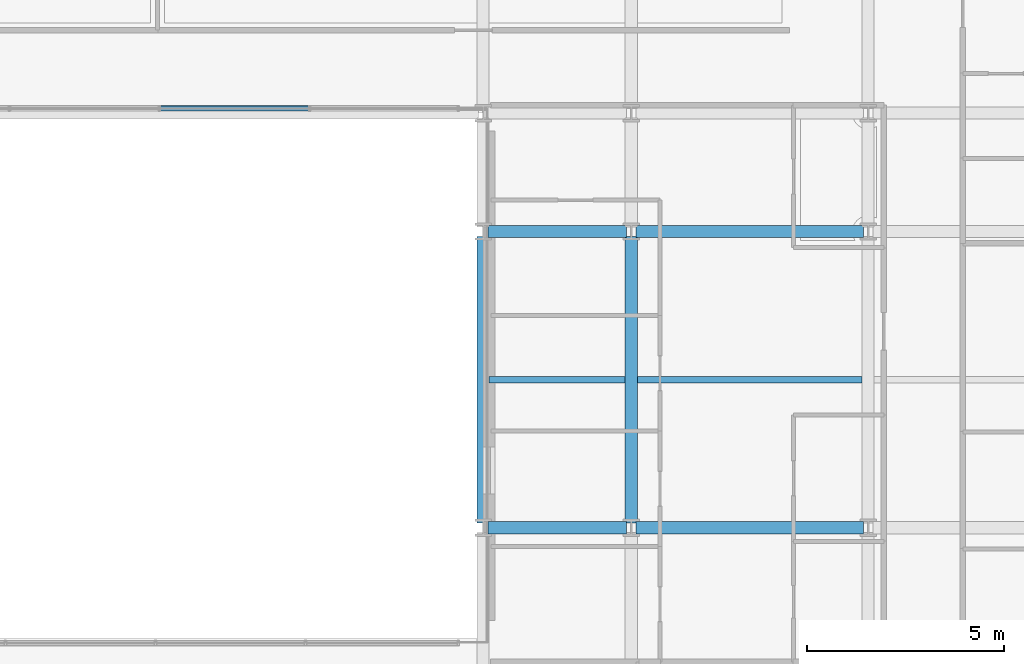
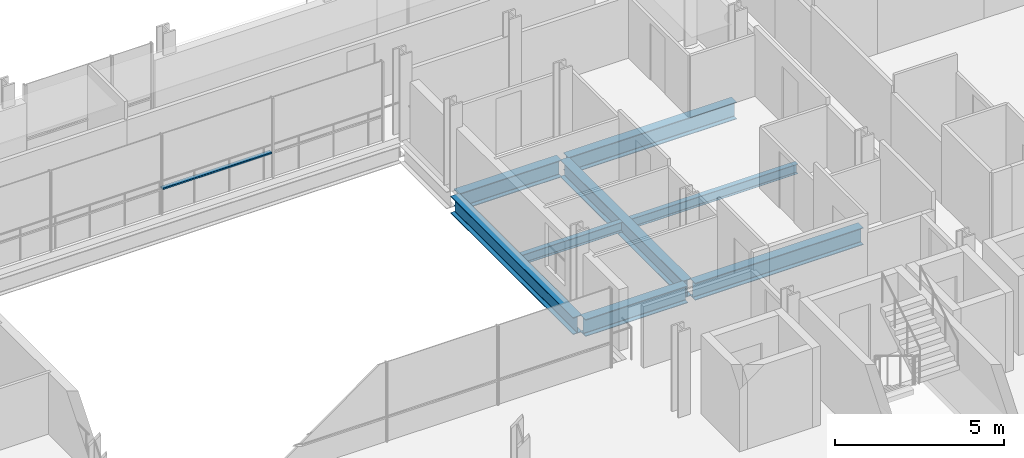
# One storey, part 16 of 38: 8 beams, 1 member, 1 element without a shape of its own.
"""IFC4 building model written with IfcOpenShell, lengths in metres."""

from ifc_helpers import new_model, si_unit, direction, frame, origin, origin_2d, place, context, subcontext, project, spatial, hollow_rectangle, i_section, extrude, material, layer, layer_set, material_profile, profile_set, type_object, element, aggregate, save


model = new_model("IFC4")

# Units and contexts
model_context = context("Model", 3, precision=1e-05, world=origin(), true_north=direction((0.0, 1.0)))
body_context = subcontext(model_context, "Body", "Model", "MODEL_VIEW")
ifc_project = project(units=[si_unit("LENGTHUNIT", "METRE"), si_unit("AREAUNIT", "SQUARE_METRE"), si_unit("VOLUMEUNIT", "CUBIC_METRE"), si_unit("PLANEANGLEUNIT", "RADIAN"), si_unit("MASSUNIT", "GRAM", prefix="KILO")], contexts=[model_context])

# Site, building, storey
site_placement = place(None, origin())
site = spatial("IfcSite", under=ifc_project, at=site_placement, CompositionType="ELEMENT")
building_placement = place(site_placement, origin())
building = spatial("IfcBuilding", under=site, at=building_placement, Name="Brevholm Reach", CompositionType="ELEMENT")
storey_placement = place(building_placement, frame((0.0, 0.0, 71.39990234375)))
storey = spatial("IfcBuildingStorey", under=building, at=storey_placement, Name="L20", CompositionType="ELEMENT", Elevation=71.39990234375)

# Beams
ifc_material_1 = material(Name="Structural Steel S355J2", Category="steel")
ifc_material_profile_1 = material_profile(ifc_material_1, i_section(OverallWidth=0.17138671875, OverallDepth=0.35498046875, WebThickness=0.00732421875, FlangeThickness=0.011474609375, FilletRadius=0.01025390625, at=origin_2d()), Name="UKB 356x171x51")
ifc_profile_set_1 = profile_set([ifc_material_profile_1], Name="Structural Steel S355J2")
beam_type_1 = type_object("IfcBeamType", Name="BM-B356", PredefinedType="BEAM", material=ifc_profile_set_1)
beam_1_placement = place(storey_placement, frame((38.403564453125, 19.75, -0.407470703125), z_axis=(1.0, 0.0, 0.0), x_axis=(0.0, 1.0, 0.0)))
element("IfcBeam", 1, at=beam_1_placement, inside=storey, type_object=beam_type_1, Name="L20 Composite Secondary Floor Beam", PredefinedType="BEAM", context=body_context, shape_type="SweptSolid", body=[
    extrude(i_section(OverallWidth=0.17138671875, OverallDepth=0.35498046875, WebThickness=0.00732421875, FlangeThickness=0.011474609375, FilletRadius=0.01025390625, at=origin_2d()), origin(), (0.0, 0.0, 1.0), 3.44287109375),
])
beam_2_placement = place(storey_placement, frame((42.153564453125, 19.75, -0.407470703125), z_axis=(1.0, 0.0, 0.0), x_axis=(0.0, 1.0, 0.0)))
element("IfcBeam", 2, at=beam_2_placement, inside=storey, type_object=beam_type_1, Name="L20 Composite Secondary Floor Beam", PredefinedType="BEAM", context=body_context, shape_type="SweptSolid", body=[
    extrude(i_section(OverallWidth=0.17138671875, OverallDepth=0.35498046875, WebThickness=0.00732421875, FlangeThickness=0.011474609375, FilletRadius=0.01025390625, at=origin_2d()), origin(), (0.0, 0.0, 1.0), 5.69287109375),
])
ifc_material_2 = material(Name="Structural Steel S355J2", Category="steel")
ifc_material_profile_2 = material_profile(ifc_material_2, i_section(OverallWidth=0.30712890625, OverallDepth=0.6201171875, WebThickness=0.01416015625, FlangeThickness=0.023681640625, FilletRadius=0.0166015625, at=origin_2d()), Name="UKB 610x305x179")
ifc_profile_set_2 = profile_set([ifc_material_profile_2], Name="Structural Steel S355J2")
beam_type_2 = type_object("IfcBeamType", Name="BM-UKB610H", PredefinedType="USERDEFINED", material=ifc_profile_set_2)
beam_3_placement = place(storey_placement, frame((38.3701171875, 16.0, -0.5400390625), z_axis=(1.0, 0.0, 0.0), x_axis=(0.0, 1.0, 0.0)))
element("IfcBeam", 3, at=beam_3_placement, inside=storey, type_object=beam_type_2, Name="L20 G-06 Framing Beam", ObjectType="GIRDER", PredefinedType="USERDEFINED", context=body_context, shape_type="SweptSolid", body=[
    extrude(i_section(OverallWidth=0.30712890625, OverallDepth=0.6201171875, WebThickness=0.01416015625, FlangeThickness=0.023681640625, FilletRadius=0.0166015625, at=origin_2d()), origin(), (0.0, 0.0, 1.0), 3.509765625),
])
beam_4_placement = place(storey_placement, frame((42.1201171875, 16.0, -0.5400390625), z_axis=(1.0, 0.0, 0.0), x_axis=(0.0, 1.0, 0.0)))
element("IfcBeam", 4, at=beam_4_placement, inside=storey, type_object=beam_type_2, Name="L20 G-06 Framing Beam", ObjectType="GIRDER", PredefinedType="USERDEFINED", context=body_context, shape_type="SweptSolid", body=[
    extrude(i_section(OverallWidth=0.30712890625, OverallDepth=0.6201171875, WebThickness=0.01416015625, FlangeThickness=0.023681640625, FilletRadius=0.0166015625, at=origin_2d()), origin(), (0.0, 0.0, 1.0), 5.759765625),
])
beam_5_placement = place(storey_placement, frame((38.3701171875, 23.5, -0.5400390625), z_axis=(1.0, 0.0, 0.0), x_axis=(0.0, 1.0, 0.0)))
element("IfcBeam", 5, at=beam_5_placement, inside=storey, type_object=beam_type_2, Name="L20 G-06 Framing Beam", ObjectType="GIRDER", PredefinedType="USERDEFINED", context=body_context, shape_type="SweptSolid", body=[
    extrude(i_section(OverallWidth=0.30712890625, OverallDepth=0.6201171875, WebThickness=0.01416015625, FlangeThickness=0.023681640625, FilletRadius=0.0166015625, at=origin_2d()), origin(), (0.0, 0.0, 1.0), 3.509765625),
])
beam_6_placement = place(storey_placement, frame((42.1201171875, 23.5, -0.5400390625), z_axis=(1.0, 0.0, 0.0), x_axis=(0.0, 1.0, 0.0)))
element("IfcBeam", 6, at=beam_6_placement, inside=storey, type_object=beam_type_2, Name="L20 G-06 Framing Beam", ObjectType="GIRDER", PredefinedType="USERDEFINED", context=body_context, shape_type="SweptSolid", body=[
    extrude(i_section(OverallWidth=0.30712890625, OverallDepth=0.6201171875, WebThickness=0.01416015625, FlangeThickness=0.023681640625, FilletRadius=0.0166015625, at=origin_2d()), origin(), (0.0, 0.0, 1.0), 5.759765625),
])
for number, where, z_axis, x_axis, name in (
    (7, (38.25, 16.1201171875, -0.5400390625), (0.0, 1.0, 0.0), (-1.0, 0.0, 0.0), "L20 G-06 Framing Beam"),
    (8, (42.0, 16.1201171875, -0.5400390625), (0.0, 1.0, 0.0), (-1.0, 0.0, 0.0), "L20 G-06 Framing Beam"),
):
    element("IfcBeam", number, at=place(storey_placement, frame(where, z_axis=z_axis, x_axis=x_axis)), inside=storey, type_object=beam_type_2, Name=name, ObjectType="GIRDER", PredefinedType="USERDEFINED", context=body_context, shape_type="SweptSolid", body=[
        extrude(i_section(OverallWidth=0.30712890625, OverallDepth=0.6201171875, WebThickness=0.01416015625, FlangeThickness=0.023681640625, FilletRadius=0.0166015625, at=origin_2d()), origin(), (0.0, 0.0, 1.0), 7.259765625),
    ])

# Curtain wall, member
ifc_material_3 = material(Name="Dark Anodised Aluminium 6063-T6 and Solar-Control Glass", Category="aluminium")
ifc_layer = layer(ifc_material_3, 0.139892578125)
ifc_layer_set = layer_set([ifc_layer], Name="Dark Anodised Aluminium 6063-T6 and Solar-Control Glass")
curtain_wall_type = type_object("IfcCurtainWallType", Name="CW-02", PredefinedType="NOTDEFINED", material=ifc_layer_set)
curtain_wall_placement = place(storey_placement, origin())
curtain_wall = element("IfcCurtainWall", 9, at=curtain_wall_placement, inside=storey, type_object=curtain_wall_type, Name="L20 Curtain Wall CW-02", PredefinedType="NOTDEFINED")
ifc_material_4 = material(Name="Dark Anodised Aluminium 6063-T6", Category="aluminium")
ifc_material_profile_3 = material_profile(ifc_material_4, hollow_rectangle(XDim=0.06005859375, YDim=0.139892578125, WallThickness=0.0048828125, InnerFilletRadius=0.0048828125, OuterFilletRadius=0.010009765625, at=origin_2d()), Name="RHS 140x60x5")
ifc_profile_set_3 = profile_set([ifc_material_profile_3], Name="Dark Anodised Aluminium 6063-T6")
member_type = type_object("IfcMemberType", Name="CWT-140", PredefinedType="NOTDEFINED", material=ifc_profile_set_3)
member_placement = place(storey_placement, frame((33.820068359375, 26.6201171875, 0.900146484375), z_axis=(-1.0, 0.0, 0.0), x_axis=(0.0, 0.0, 1.0)))
member = element("IfcMember", 10, at=member_placement, type_object=member_type, Name="CT-140 Transom 2.1", ObjectType="TRANSOM", PredefinedType="USERDEFINED", context=body_context, shape_type="SweptSolid", body=[
    extrude(hollow_rectangle(XDim=0.06005859375, YDim=0.139892578125, WallThickness=0.0048828125, InnerFilletRadius=0.0048828125, OuterFilletRadius=0.010009765625, at=origin_2d()), origin(), (0.0, 0.0, 1.0), 3.739990234375),
])
aggregate(curtain_wall, [member])

save(model, "model.ifc")
